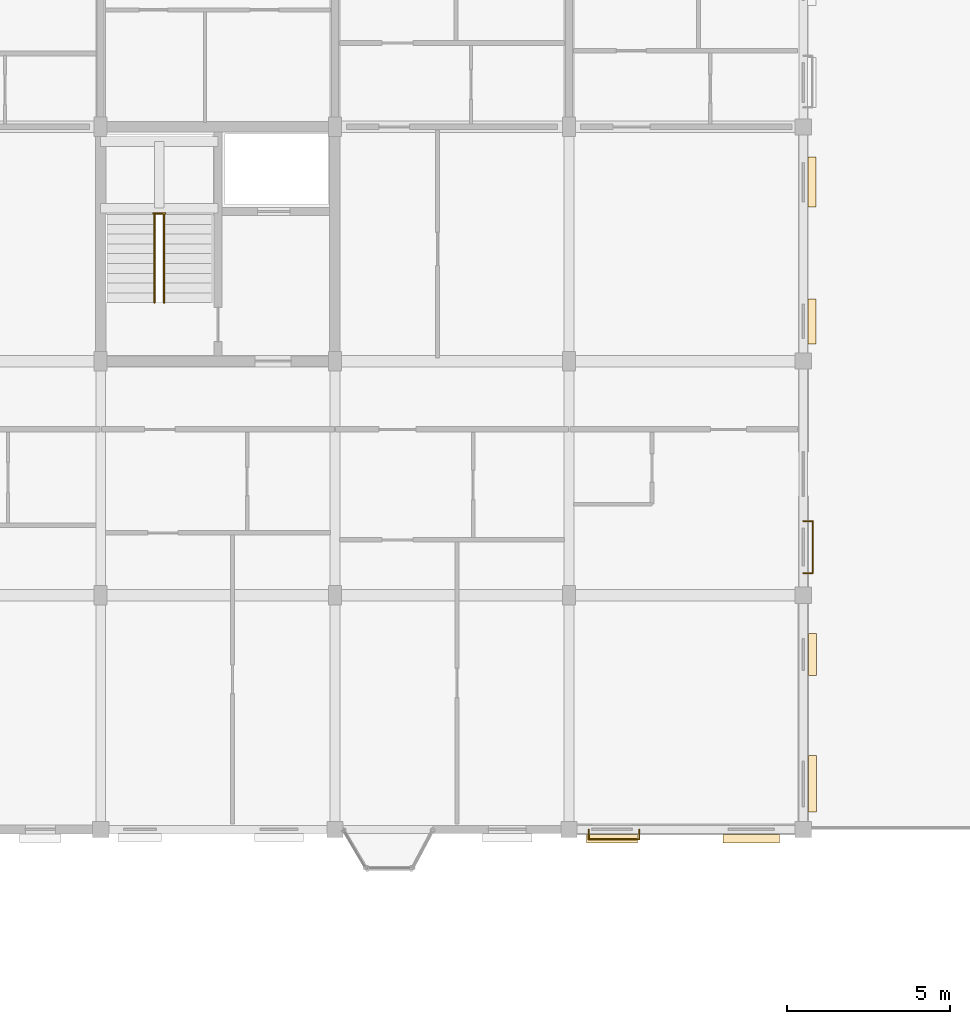
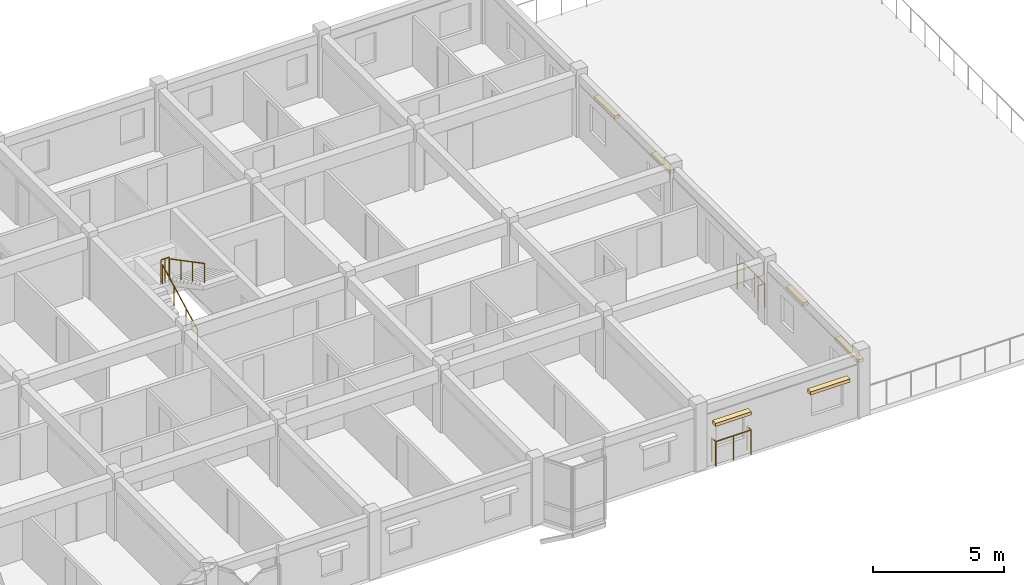
# One storey, part 63 of 64: 6 coverings, 5 railings.
"""IFC4 building model written with IfcOpenShell, lengths in metres."""

from ifc_helpers import new_model, si_unit, direction, frame, origin, origin_2d, place, context, subcontext, project, spatial, rectangle, circle, extrude, material, layer, layer_set, type_object, element, save


model = new_model("IFC4")

# Units and contexts
model_context = context("Model", 3, precision=1e-05, world=origin(), true_north=direction((0.0, 1.0)))
body_context = subcontext(model_context, "Body", "Model", "MODEL_VIEW")
ifc_project = project(units=[si_unit("LENGTHUNIT", "METRE"), si_unit("AREAUNIT", "SQUARE_METRE"), si_unit("VOLUMEUNIT", "CUBIC_METRE"), si_unit("PLANEANGLEUNIT", "RADIAN"), si_unit("MASSUNIT", "GRAM", prefix="KILO"), si_unit("THERMODYNAMICTEMPERATUREUNIT", "KELVIN"), si_unit("POWERUNIT", "WATT")], contexts=[model_context])

# Site, building, storey
site_placement = place(None, origin())
site = spatial("IfcSite", under=ifc_project, at=site_placement, CompositionType="ELEMENT")
building_placement = place(site_placement, origin())
building = spatial("IfcBuilding", under=site, at=building_placement, Name="Tavuni Mirador Residences", CompositionType="ELEMENT")
storey_placement = place(building_placement, frame((0.0, 0.0, 26.550048828125)))
storey = spatial("IfcBuildingStorey", under=building, at=storey_placement, Name="L08", CompositionType="ELEMENT", Elevation=26.550048828125)

# Coverings
ifc_material_1 = material(Name="Natural coral limestone", Category="masonry")
ifc_layer = layer(ifc_material_1, 0.054931640625, Name="Natural coral limestone", Category="masonry")
ifc_layer_set = layer_set([ifc_layer], Name="Natural coral limestone")
covering_type = type_object("IfcCoveringType", Name="CVT-CLAD-CORAL", PredefinedType="CLADDING", material=ifc_layer_set)
covering_1_placement = place(storey_placement, frame((55.320068359375, 143.712890625, 1.955078125), z_axis=(0.0, 0.0, 1.0), x_axis=(1.0, 0.0, 0.0)))
element("IfcCovering", 1, at=covering_1_placement, inside=storey, type_object=covering_type, Name="HOOD-0723", PredefinedType="CLADDING", context=body_context, shape_type="SweptSolid", body=[
    extrude(rectangle(XDim=1.580078125, YDim=0.25, at=origin_2d()), origin(), (0.0, 0.0, 1.0), 0.14990234375),
])
for number, where, z_axis, x_axis, name in (
    (2, (59.60009765625, 143.712890625, 1.955078125), (0.0, 0.0, 1.0), (1.0, 0.0, 0.0), "HOOD-0724"),
    (3, (61.4794921875, 145.39990234375, 1.955078125), (0.0, 0.0, 1.0), (0.0, 1.0, 0.0), "HOOD-0725"),
):
    element("IfcCovering", number, at=place(storey_placement, frame(where, z_axis=z_axis, x_axis=x_axis)), inside=storey, type_object=covering_type, Name=name, PredefinedType="CLADDING", context=body_context, shape_type="SweptSolid", body=[
        extrude(rectangle(XDim=1.739990234375, YDim=0.25, at=origin_2d()), origin(), (0.0, 0.0, 1.0), 0.14990234375),
    ])
covering_2_placement = place(storey_placement, frame((61.4794921875, 149.3798828125, 2.06494140625), z_axis=(0.0, 0.0, 1.0), x_axis=(0.0, 1.0, 0.0)))
element("IfcCovering", 4, at=covering_2_placement, inside=storey, type_object=covering_type, Name="HOOD-0726", PredefinedType="CLADDING", context=body_context, shape_type="SweptSolid", body=[
    extrude(rectangle(XDim=1.300048828125, YDim=0.25, at=origin_2d()), origin(), (0.0, 0.0, 1.0), 0.14990234375),
])
covering_3_placement = place(storey_placement, frame((61.467041015625, 159.6201171875, 2.06494140625), z_axis=(0.0, 0.0, 1.0), x_axis=(0.0, 1.0, 0.0)))
element("IfcCovering", 5, at=covering_3_placement, inside=storey, type_object=covering_type, Name="HOOD-0727", PredefinedType="CLADDING", context=body_context, shape_type="SweptSolid", body=[
    extrude(rectangle(XDim=1.3798828125, YDim=0.25, at=origin_2d()), origin(), (0.0, 0.0, 1.0), 0.14990234375),
])
covering_4_placement = place(storey_placement, frame((61.467041015625, 163.89990234375, 2.06494140625), z_axis=(0.0, 0.0, 1.0), x_axis=(0.0, 1.0, 0.0)))
element("IfcCovering", 6, at=covering_4_placement, inside=storey, type_object=covering_type, Name="HOOD-0728", PredefinedType="CLADDING", context=body_context, shape_type="SweptSolid", body=[
    extrude(rectangle(XDim=1.5400390625, YDim=0.25, at=origin_2d()), origin(), (0.0, 0.0, 1.0), 0.14990234375),
])

# Railings
ifc_material_2 = material(Name="Structural steel S355", Category="steel")
railing_type_1 = type_object("IfcRailingType", Name="RT-BL1150", PredefinedType="BALUSTRADE", material=ifc_material_2)
railing_1_placement = place(storey_placement, frame((54.60009765625, 144.0, 0.0400390625)))
element("IfcRailing", 7, at=railing_1_placement, inside=storey, type_object=railing_type_1, Name="BALC-BLK-C-L08-S06", PredefinedType="BALUSTRADE", context=body_context, shape_type="SweptSolid", body=[
    extrude(circle(Radius=0.02392578125, at=origin_2d()), frame((0.0, 0.0, 1.1259765625), z_axis=(0.0, -1.0, 0.0), x_axis=(1.0, 0.0, 0.0)), (0.0, 0.0, 1.0), 0.304931640625),
    extrude(circle(Radius=0.02392578125, at=origin_2d()), frame((0.0, -0.304931640625, 1.1259765625), z_axis=(1.0, 0.0, 0.0), x_axis=(0.0, 1.0, 0.0)), (0.0, 0.0, 1.0), 1.559814453125),
    extrude(circle(Radius=0.02392578125, at=origin_2d()), frame((1.559814453125, -0.304931640625, 1.1259765625), z_axis=(0.0, 1.0, 0.0), x_axis=(-1.0, 0.0, 0.0)), (0.0, 0.0, 1.0), 0.304931640625),
    extrude(circle(Radius=0.02099609375, at=origin_2d()), origin(), (0.0, 0.0, 1.0), 1.101806640625),
    extrude(circle(Radius=0.02099609375, at=origin_2d()), frame((0.0, -0.304931640625, 0.0)), (0.0, 0.0, 1.0), 1.101806640625),
    extrude(circle(Radius=0.02099609375, at=origin_2d()), frame((0.77978515625, -0.304931640625, 0.0)), (0.0, 0.0, 1.0), 1.101806640625),
    extrude(circle(Radius=0.02099609375, at=origin_2d()), frame((1.559814453125, -0.304931640625, 0.0)), (0.0, 0.0, 1.0), 1.101806640625),
    extrude(circle(Radius=0.02099609375, at=origin_2d()), frame((1.559814453125, 0.0, 0.0)), (0.0, 0.0, 1.0), 1.101806640625),
])
railing_2_placement = place(storey_placement, frame((61.199951171875, 151.8798828125, 0.0400390625)))
element("IfcRailing", 8, at=railing_2_placement, inside=storey, type_object=railing_type_1, Name="BALC-BLK-C-L08-E01", PredefinedType="BALUSTRADE", context=body_context, shape_type="SweptSolid", body=[
    extrude(circle(Radius=0.02392578125, at=origin_2d()), frame((0.0, 0.0, 1.1259765625), z_axis=(1.0, 0.0, 0.0), x_axis=(0.0, 1.0, 0.0)), (0.0, 0.0, 1.0), 0.29248046875),
    extrude(circle(Radius=0.02392578125, at=origin_2d()), frame((0.29248046875, 0.0, 1.1259765625), z_axis=(0.0, 1.0, 0.0), x_axis=(-1.0, 0.0, 0.0)), (0.0, 0.0, 1.0), 1.60009765625),
    extrude(circle(Radius=0.02392578125, at=origin_2d()), frame((0.29248046875, 1.60009765625, 1.1259765625), z_axis=(-1.0, 0.0, 0.0), x_axis=(0.0, -1.0, 0.0)), (0.0, 0.0, 1.0), 0.29248046875),
    extrude(circle(Radius=0.02099609375, at=origin_2d()), origin(), (0.0, 0.0, 1.0), 1.101806640625),
    extrude(circle(Radius=0.02099609375, at=origin_2d()), frame((0.29248046875, 0.0, 0.0)), (0.0, 0.0, 1.0), 1.101806640625),
    extrude(circle(Radius=0.02099609375, at=origin_2d()), frame((0.29248046875, 0.800048828125, 0.0)), (0.0, 0.0, 1.0), 1.101806640625),
    extrude(circle(Radius=0.02099609375, at=origin_2d()), frame((0.29248046875, 1.60009765625, 0.0)), (0.0, 0.0, 1.0), 1.101806640625),
    extrude(circle(Radius=0.02099609375, at=origin_2d()), frame((0.0, 1.60009765625, 0.0)), (0.0, 0.0, 1.0), 1.101806640625),
])
railing_type_2 = type_object("IfcRailingType", Name="RT-GR1120", PredefinedType="GUARDRAIL", material=ifc_material_2)
railing_3_placement = place(storey_placement, frame((41.219970703125, 162.93994140625, 1.574951171875)))
element("IfcRailing", 9, at=railing_3_placement, inside=storey, type_object=railing_type_2, Name="GRD-HL-ST6-L08", PredefinedType="GUARDRAIL", context=body_context, shape_type="SweptSolid", body=[
    extrude(circle(Radius=0.02392578125, at=origin_2d()), frame((0.0, 0.0, 1.09619140625), z_axis=(1.0, 0.0, 0.0), x_axis=(0.0, 1.0, 0.0)), (0.0, 0.0, 1.0), 0.360107421875),
    extrude(circle(Radius=0.02099609375, at=origin_2d()), origin(), (0.0, 0.0, 1.0), 1.072021484375),
    extrude(circle(Radius=0.02099609375, at=origin_2d()), frame((0.18017578125, 0.0, 0.0)), (0.0, 0.0, 1.0), 1.072021484375),
    extrude(circle(Radius=0.02099609375, at=origin_2d()), frame((0.360107421875, 0.0, 0.0)), (0.0, 0.0, 1.0), 1.072021484375),
])
railing_type_3 = type_object("IfcRailingType", Name="RT-HR920", PredefinedType="HANDRAIL", material=ifc_material_2)
railing_4_placement = place(storey_placement, frame((41.25, 160.199951171875, 0.157470703125)))
element("IfcRailing", 10, at=railing_4_placement, inside=storey, type_object=railing_type_3, Name="HR-ST6-L08-F1", PredefinedType="HANDRAIL", context=body_context, shape_type="SweptSolid", body=[
    extrude(circle(Radius=0.02392578125, at=origin_2d()), frame((0.0, 0.0, 0.89599609375), z_axis=(0.0, 0.885397079081, 0.464835468048), x_axis=(-1.0, 0.0, 0.0)), (0.0, 0.0, 1.0), 3.04931640625),
    extrude(circle(Radius=0.02099609375, at=origin_2d()), origin(), (0.0, 0.0, 1.0), 0.871826171875),
    extrude(circle(Radius=0.02099609375, at=origin_2d()), frame((0.0, 0.89990234375, 0.472412109375)), (0.0, 0.0, 1.0), 0.871826171875),
    extrude(circle(Radius=0.02099609375, at=origin_2d()), frame((0.0, 1.800048828125, 0.945068359375)), (0.0, 0.0, 1.0), 0.871826171875),
    extrude(circle(Radius=0.02099609375, at=origin_2d()), frame((0.0, 2.699951171875, 1.41748046875)), (0.0, 0.0, 1.0), 0.871826171875),
])
railing_5_placement = place(storey_placement, frame((41.550048828125, 162.89990234375, 1.732421875)))
element("IfcRailing", 11, at=railing_5_placement, inside=storey, type_object=railing_type_3, Name="HR-ST6-L08-F2", PredefinedType="HANDRAIL", context=body_context, shape_type="SweptSolid", body=[
    extrude(circle(Radius=0.02392578125, at=origin_2d()), frame((0.0, 0.0, 0.89599609375), z_axis=(0.0, -0.885397079081, 0.464835468048), x_axis=(1.0, 0.0, 0.0)), (0.0, 0.0, 1.0), 3.04931640625),
    extrude(circle(Radius=0.02099609375, at=origin_2d()), origin(), (0.0, 0.0, 1.0), 0.871826171875),
    extrude(circle(Radius=0.02099609375, at=origin_2d()), frame((0.0, -0.89990234375, 0.472412109375)), (0.0, 0.0, 1.0), 0.871826171875),
    extrude(circle(Radius=0.02099609375, at=origin_2d()), frame((0.0, -1.800048828125, 0.945068359375)), (0.0, 0.0, 1.0), 0.871826171875),
    extrude(circle(Radius=0.02099609375, at=origin_2d()), frame((0.0, -2.699951171875, 1.41748046875)), (0.0, 0.0, 1.0), 0.871826171875),
])

save(model, "model.ifc")
